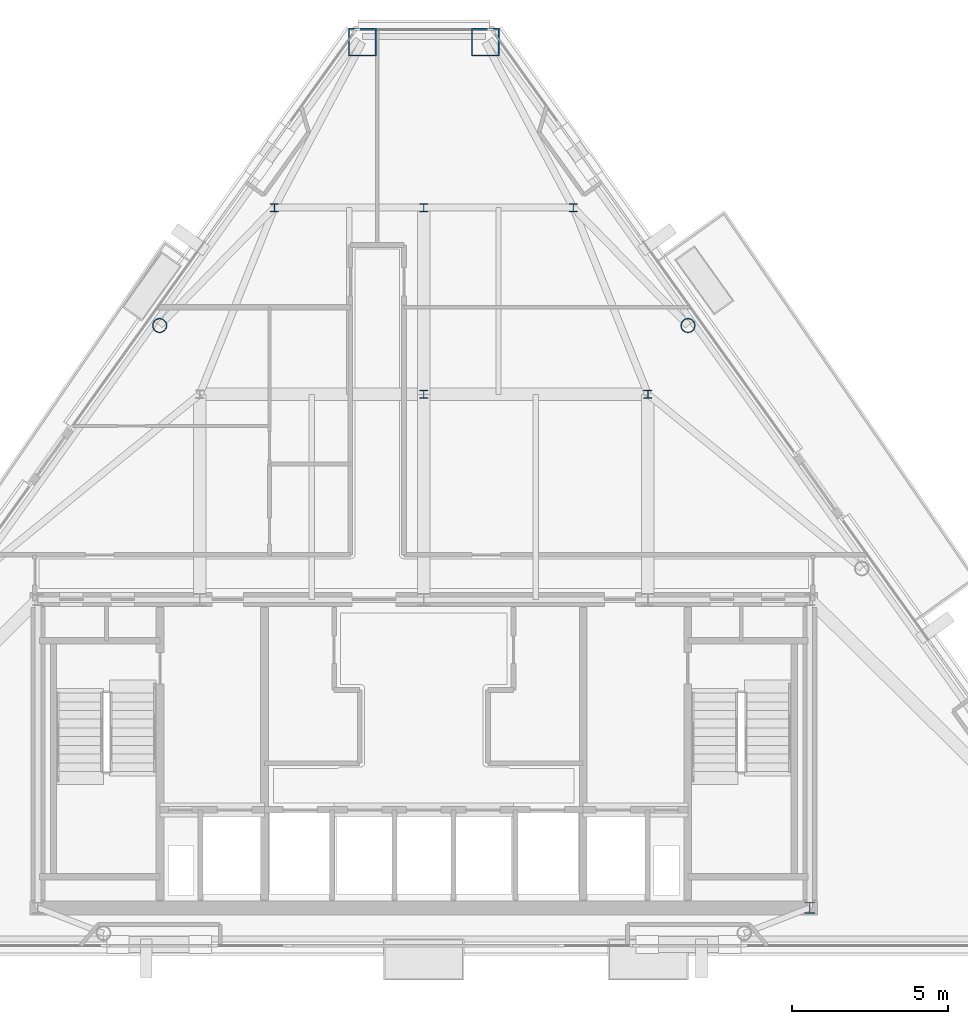
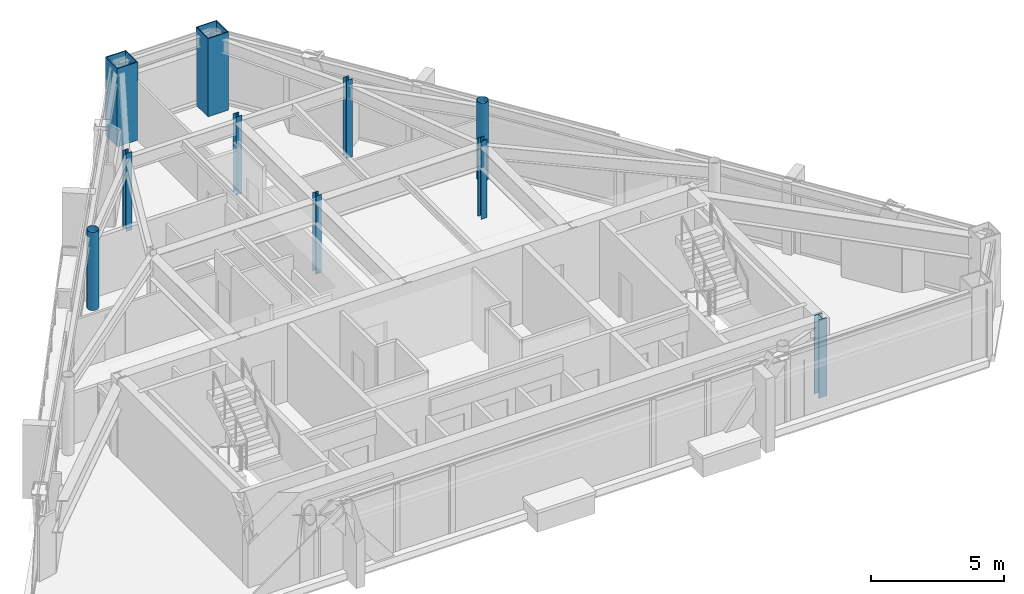
# One storey, part 2 of 12: 10 columns.
"""IFC4 building model written with IfcOpenShell, lengths in metres."""

from ifc_helpers import new_model, si_unit, direction, frame, origin, origin_2d, place, context, subcontext, project, spatial, hollow_rectangle, hollow_circle, i_section, extrude, material, material_profile, profile_set, type_object, element, save


model = new_model("IFC4")

# Units and contexts
model_context = context("Model", 3, precision=1e-05, world=origin(), true_north=direction((0.0, 1.0)))
body_context = subcontext(model_context, "Body", "Model", "MODEL_VIEW")
ifc_project = project(units=[si_unit("LENGTHUNIT", "METRE"), si_unit("AREAUNIT", "SQUARE_METRE"), si_unit("VOLUMEUNIT", "CUBIC_METRE"), si_unit("PLANEANGLEUNIT", "RADIAN"), si_unit("MASSUNIT", "GRAM", prefix="KILO")], contexts=[model_context])

# Site, building, storey
site_placement = place(None, origin())
site = spatial("IfcSite", under=ifc_project, at=site_placement, CompositionType="ELEMENT")
building_placement = place(site_placement, origin())
building = spatial("IfcBuilding", under=site, at=building_placement, Name="Talgorran Terracotta Tower", CompositionType="ELEMENT")
storey_placement = place(building_placement, frame((0.0, 0.0, 270.60009765625)))
storey = spatial("IfcBuildingStorey", under=building, at=storey_placement, Name="L71", CompositionType="ELEMENT", Elevation=270.60009765625)

# Columns
ifc_material_1 = material(Name="Steel S355 (300PLUS)", Category="steel")
ifc_material_profile_1 = material_profile(ifc_material_1, i_section(OverallWidth=0.256103515625, OverallDepth=0.260009765625, WebThickness=0.010498046875, FlangeThickness=0.017333984375, at=origin_2d()), Name="250UC89.5")
ifc_profile_set_1 = profile_set([ifc_material_profile_1], Name="Steel S355 (300PLUS)")
column_type_1 = type_object("IfcColumnType", Name="COL_250UC89", PredefinedType="COLUMN", material=ifc_profile_set_1)
for number, where, z_axis, x_axis, name in (
    (1, (0.0, 2.39990234375, 0.0), (0.0, 0.0, 1.0), (1.0, 0.0, 0.0), "L71 Interior Gravity Column IC2"),
    (2, (7.199951171875, 2.39990234375, 0.0), (0.0, 0.0, 1.0), (1.0, 0.0, 0.0), "L71 Interior Gravity Column IC3"),
    (3, (-4.800048828125, 8.39990234375, 0.0), (0.0, 0.0, 1.0), (1.0, 0.0, 0.0), "L71 Interior Gravity Column IC4"),
    (4, (0.0, 8.39990234375, 0.0), (0.0, 0.0, 1.0), (1.0, 0.0, 0.0), "L71 Interior Gravity Column IC5"),
    (5, (4.800048828125, 8.39990234375, 0.0), (0.0, 0.0, 1.0), (1.0, 0.0, 0.0), "L71 Interior Gravity Column IC6"),
):
    element("IfcColumn", number, at=place(storey_placement, frame(where, z_axis=z_axis, x_axis=x_axis)), inside=storey, type_object=column_type_1, Name=name, PredefinedType="COLUMN", context=body_context, shape_type="SweptSolid", body=[
        extrude(i_section(OverallWidth=0.256103515625, OverallDepth=0.260009765625, WebThickness=0.010498046875, FlangeThickness=0.017333984375, at=origin_2d()), origin(), (0.0, 0.0, 1.0), 3.599853515625),
    ])
ifc_material_profile_2 = material_profile(ifc_material_1, i_section(OverallWidth=0.35205078125, OverallDepth=0.35888671875, WebThickness=0.01806640625, FlangeThickness=0.02587890625, at=origin_2d()), Name="350WC197")
ifc_profile_set_2 = profile_set([ifc_material_profile_2], Name="Steel S355 (300PLUS)")
column_type_2 = type_object("IfcColumnType", Name="COL_350WC197", PredefinedType="COLUMN", material=ifc_profile_set_2)
column_placement = place(storey_placement, frame((12.39990234375, -14.10009765625, 0.0), z_axis=(0.0, 0.0, 1.0), x_axis=(1.0, 0.0, 0.0)))
element("IfcColumn", 6, at=column_placement, inside=storey, type_object=column_type_2, Name="L71 Core Boundary Column CC2", PredefinedType="COLUMN", context=body_context, shape_type="SweptSolid", body=[
    extrude(i_section(OverallWidth=0.35205078125, OverallDepth=0.35888671875, WebThickness=0.01806640625, FlangeThickness=0.02587890625, at=origin_2d()), origin(), (0.0, 0.0, 1.0), 3.599853515625),
])
ifc_material_2 = material(Name="Steel Grade 350 (350L0)", Category="steel")
ifc_material_profile_3 = material_profile(ifc_material_2, hollow_rectangle(XDim=0.89990234375, YDim=0.89990234375, WallThickness=0.0400390625, at=origin_2d()), Name="CFT900X900X40")
ifc_profile_set_3 = profile_set([ifc_material_profile_3], Name="Steel Grade 350 (350L0)")
column_type_3 = type_object("IfcColumnType", Name="COL_CFT_900", PredefinedType="COLUMN", material=ifc_profile_set_3)
for number, where, z_axis, x_axis, name in (
    (7, (1.97509765625, 13.716796875, 0.0), (0.0, 0.0, 1.0), (1.0, 0.0, 0.0), "L71 Corner CFT Mega-Column MC5"),
    (8, (-1.97509765625, 13.716796875, 0.0), (0.0, 0.0, 1.0), (1.0, 0.0, 0.0), "L71 Corner CFT Mega-Column MC6"),
):
    element("IfcColumn", number, at=place(storey_placement, frame(where, z_axis=z_axis, x_axis=x_axis)), inside=storey, type_object=column_type_3, Name=name, PredefinedType="COLUMN", context=body_context, shape_type="SweptSolid", body=[
        extrude(hollow_rectangle(XDim=0.89990234375, YDim=0.89990234375, WallThickness=0.0400390625, at=origin_2d()), origin(), (0.0, 0.0, 1.0), 3.599853515625),
    ])
ifc_material_3 = material(Name="Steel S350 (C350L0)", Category="steel")
ifc_material_profile_4 = material_profile(ifc_material_3, hollow_circle(Radius=0.228515625, WallThickness=0.01611328125, at=origin_2d()), Name="CHS457X16")
ifc_profile_set_4 = profile_set([ifc_material_profile_4], Name="Steel S350 (C350L0)")
column_type_4 = type_object("IfcColumnType", Name="COL_CHS_457", PredefinedType="COLUMN", material=ifc_profile_set_4)
for number, where, z_axis, x_axis, name in (
    (9, (8.488525390625, 4.609619140625, 0.0), (0.0, 0.0, 1.0), (1.0, 0.0, 0.0), "L71 Facet Perimeter Column FC4"),
    (10, (-8.488525390625, 4.609619140625, 0.0), (0.0, 0.0, 1.0), (1.0, 0.0, 0.0), "L71 Facet Perimeter Column FC5"),
):
    element("IfcColumn", number, at=place(storey_placement, frame(where, z_axis=z_axis, x_axis=x_axis)), inside=storey, type_object=column_type_4, Name=name, PredefinedType="COLUMN", context=body_context, shape_type="SweptSolid", body=[
        extrude(hollow_circle(Radius=0.228515625, WallThickness=0.01611328125, at=origin_2d()), origin(), (0.0, 0.0, 1.0), 3.599853515625),
    ])

save(model, "model.ifc")
